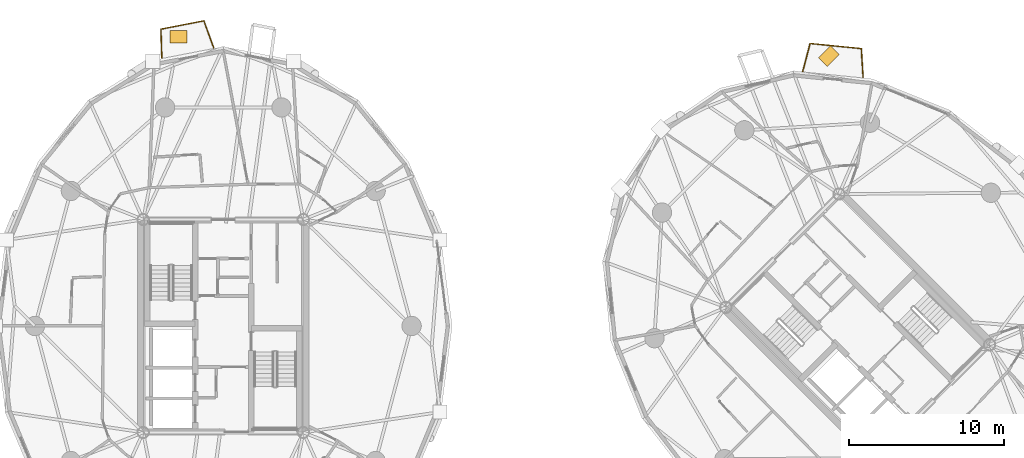
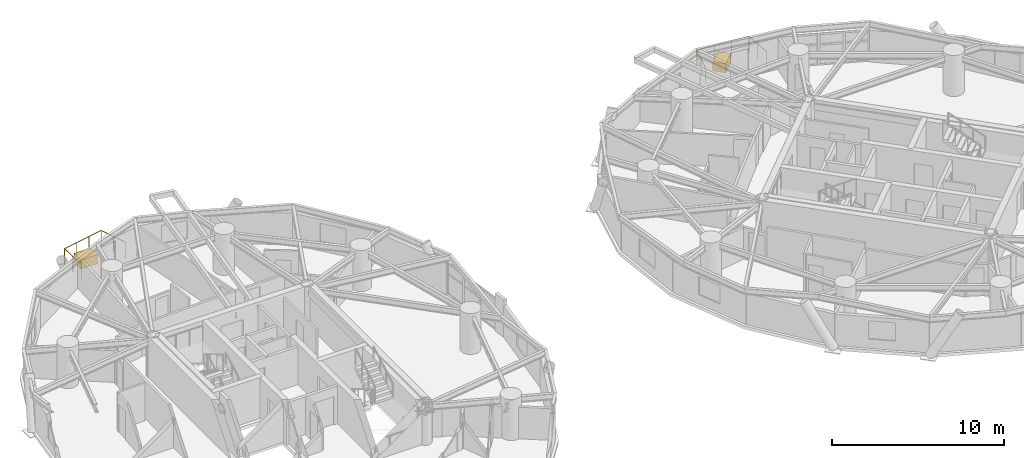
# One storey, part 19 of 19: 2 coverings, 2 railings.
"""IFC4 building model written with IfcOpenShell, lengths in metres."""

from ifc_helpers import new_model, si_unit, direction, frame, origin, origin_2d, place, context, subcontext, project, spatial, rectangle, circle, extrude, source, transform, mapped, material, layer, layer_set, type_object, element, save


model = new_model("IFC4")

# Units and contexts
model_context = context("Model", 3, precision=1e-05, world=origin(), true_north=direction((0.0, 1.0)))
body_context = subcontext(model_context, "Body", "Model", "MODEL_VIEW")
ifc_project = project(units=[si_unit("LENGTHUNIT", "METRE"), si_unit("AREAUNIT", "SQUARE_METRE"), si_unit("VOLUMEUNIT", "CUBIC_METRE"), si_unit("PLANEANGLEUNIT", "RADIAN"), si_unit("MASSUNIT", "GRAM", prefix="KILO")], contexts=[model_context])

# Site, building, storey
site_placement = place(None, origin())
site = spatial("IfcSite", under=ifc_project, at=site_placement, CompositionType="ELEMENT")
building_placement = place(site_placement, origin())
building = spatial("IfcBuilding", under=site, at=building_placement, Name="Cununo Teusaquillo Station Towers", CompositionType="ELEMENT")
storey_placement = place(building_placement, frame((0.0, 0.0, 151.60009765625)))
storey = spatial("IfcBuildingStorey", under=building, at=storey_placement, Name="L47", CompositionType="ELEMENT", Elevation=151.60009765625)

# Railings
ifc_material_1 = material(Name="Anodised dark bronze aluminium EN AW-6063-T6", Category="aluminium")
railing_type = type_object("IfcRailingType", Name="RL-EXT-GUARD", PredefinedType="GUARDRAIL", material=ifc_material_1)
railing_1_placement = place(storey_placement, frame((12.529296875, 41.826416015625, 0.0)))
element("IfcRailing", 1, at=railing_1_placement, inside=storey, type_object=railing_type, Name="L47 Tower A Balcony Guardrail C05", PredefinedType="GUARDRAIL", context=body_context, shape_type="SweptSolid", body=[
    extrude(circle(Radius=0.02392578125, at=origin_2d()), frame((0.0, 0.0, 1.1259765625), z_axis=(-0.030492060761, 0.999535009007, 0.0), x_axis=(-0.999535009007, -0.030492060761, 0.0)), (0.0, 0.0, 1.0), 1.857666015625),
    extrude(circle(Radius=0.02392578125, at=origin_2d()), frame((-0.056640625, 1.856689453125, 1.1259765625), z_axis=(0.981837596309, 0.18972331031, 0.0), x_axis=(-0.18972331031, 0.981837596309, 0.0)), (0.0, 0.0, 1.0), 2.822021484375),
    extrude(circle(Radius=0.02392578125, at=origin_2d()), frame((2.714111328125, 2.39208984375, 1.1259765625), z_axis=(0.344127190422, -0.938923040942, 0.0), x_axis=(0.938923040942, 0.344127190422, 0.0)), (0.0, 0.0, 1.0), 1.857421875),
    extrude(circle(Radius=0.02099609375, at=origin_2d()), origin(), (0.0, 0.0, 1.0), 1.101806640625),
    extrude(circle(Radius=0.02099609375, at=origin_2d()), frame((-0.0283203125, 0.92822265625, 0.0)), (0.0, 0.0, 1.0), 1.101806640625),
    extrude(circle(Radius=0.02099609375, at=origin_2d()), frame((-0.056640625, 1.856689453125, 0.0)), (0.0, 0.0, 1.0), 1.101806640625),
    extrude(circle(Radius=0.02099609375, at=origin_2d()), frame((0.866943359375, 2.03515625, 0.0)), (0.0, 0.0, 1.0), 1.101806640625),
    extrude(circle(Radius=0.02099609375, at=origin_2d()), frame((1.79052734375, 2.213623046875, 0.0)), (0.0, 0.0, 1.0), 1.101806640625),
    extrude(circle(Radius=0.02099609375, at=origin_2d()), frame((2.714111328125, 2.39208984375, 0.0)), (0.0, 0.0, 1.0), 1.101806640625),
    extrude(circle(Radius=0.02099609375, at=origin_2d()), frame((3.03369140625, 1.52001953125, 0.0)), (0.0, 0.0, 1.0), 1.101806640625),
    extrude(circle(Radius=0.02099609375, at=origin_2d()), frame((3.353271484375, 0.648193359375, 0.0)), (0.0, 0.0, 1.0), 1.101806640625),
])
railing_2_placement = place(storey_placement, frame((53.94677734375, 40.952392578125, 0.0)))
element("IfcRailing", 2, at=railing_2_placement, inside=storey, type_object=railing_type, Name="L47 Tower B Balcony Guardrail C02", PredefinedType="GUARDRAIL", context=body_context, shape_type="SweptSolid", body=[
    extrude(circle(Radius=0.02392578125, at=origin_2d()), frame((0.0, 0.0, 1.1259765625), z_axis=(0.256025604412, 0.96667000051, 0.0), x_axis=(-0.96667000051, 0.256025604412, 0.0)), (0.0, 0.0, 1.0), 1.8662109375),
    extrude(circle(Radius=0.02392578125, at=origin_2d()), frame((0.477783203125, 1.803955078125, 1.1259765625), z_axis=(0.995128414942, -0.098587208981, 0.0), x_axis=(0.098587208981, 0.995128414942, 0.0)), (0.0, 0.0, 1.0), 3.3232421875),
    extrude(circle(Radius=0.02392578125, at=origin_2d()), frame((3.784912109375, 1.476318359375, 1.1259765625), z_axis=(0.061352095824, -0.998116185791, 0.0), x_axis=(0.998116185791, 0.061352095824, 0.0)), (0.0, 0.0, 1.0), 1.8662109375),
    extrude(circle(Radius=0.02099609375, at=origin_2d()), origin(), (0.0, 0.0, 1.0), 1.101806640625),
    extrude(circle(Radius=0.02099609375, at=origin_2d()), frame((0.23876953125, 0.90185546875, 0.0)), (0.0, 0.0, 1.0), 1.101806640625),
    extrude(circle(Radius=0.02099609375, at=origin_2d()), frame((0.477783203125, 1.803955078125, 0.0)), (0.0, 0.0, 1.0), 1.101806640625),
    extrude(circle(Radius=0.02099609375, at=origin_2d()), frame((1.580078125, 1.69482421875, 0.0)), (0.0, 0.0, 1.0), 1.101806640625),
    extrude(circle(Radius=0.02099609375, at=origin_2d()), frame((2.6826171875, 1.58544921875, 0.0)), (0.0, 0.0, 1.0), 1.101806640625),
    extrude(circle(Radius=0.02099609375, at=origin_2d()), frame((3.784912109375, 1.476318359375, 0.0)), (0.0, 0.0, 1.0), 1.101806640625),
    extrude(circle(Radius=0.02099609375, at=origin_2d()), frame((3.84228515625, 0.544921875, 0.0)), (0.0, 0.0, 1.0), 1.101806640625),
    extrude(circle(Radius=0.02099609375, at=origin_2d()), frame((3.8994140625, -0.386474609375, 0.0)), (0.0, 0.0, 1.0), 1.101806640625),
])

# Coverings
ifc_material_2 = material(Name="Architectural GRC planter shell and engineered root-zone substrate", Category="concrete")
ifc_layer = layer(ifc_material_2, 0.64990234375)
ifc_layer_set = layer_set([ifc_layer], Name="Architectural GRC planter shell and engineered root-zone substrate")
covering_type = type_object("IfcCoveringType", Name="COV-TREE-PLANTER", PredefinedType="CLADDING", material=ifc_layer_set)
shared_shape = source(origin(), body_context, "Body", "SweptSolid", [
    extrude(rectangle(XDim=1.10009765625, YDim=0.800048828125, at=origin_2d()), origin(), (0.0, 0.0, 1.0), 0.64990234375),
])
for number, where, z_axis, x_axis, name in (
    (3, (13.61083984375, 43.2001953125, 0.0), (0.0, 0.0, 1.0), (1.0, 0.0, 0.0), "L47 Tower A Balcony Tree PLANTER C05"),
    (4, (55.62646484375, 41.939208984375, 0.0), (0.0, 0.0, 1.0), (0.707106781187, 0.707106781187, 0.0), "L47 Tower B Balcony Tree PLANTER C02"),
):
    element("IfcCovering", number, at=place(storey_placement, frame(where, z_axis=z_axis, x_axis=x_axis)), inside=storey, type_object=covering_type, Name=name, PredefinedType="CLADDING", context=body_context, shape_type="MappedRepresentation", body=[
        mapped(shared_shape, transform((0.0, 0.0, 0.0), x_axis=(1.0, 0.0, 0.0), y_axis=(0.0, 1.0, 0.0), z_axis=(0.0, 0.0, 1.0), scale=1.0)),
    ])

save(model, "model.ifc")
